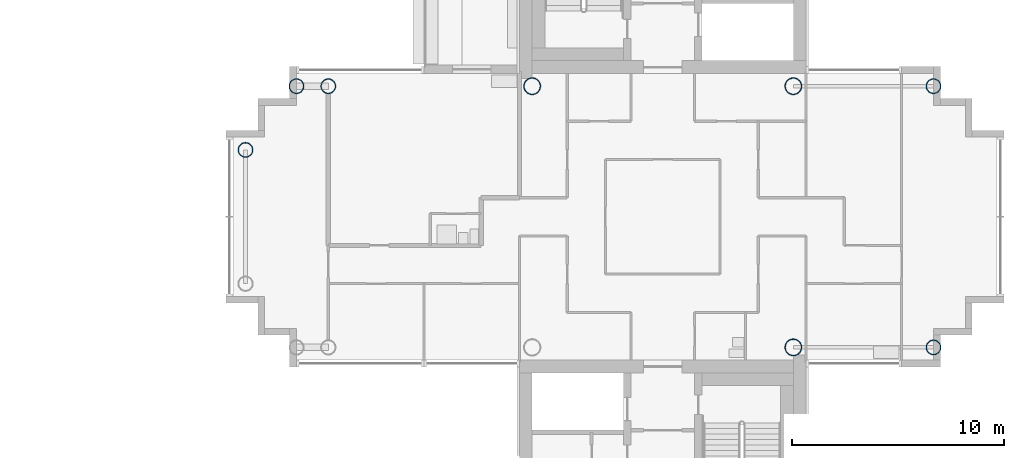
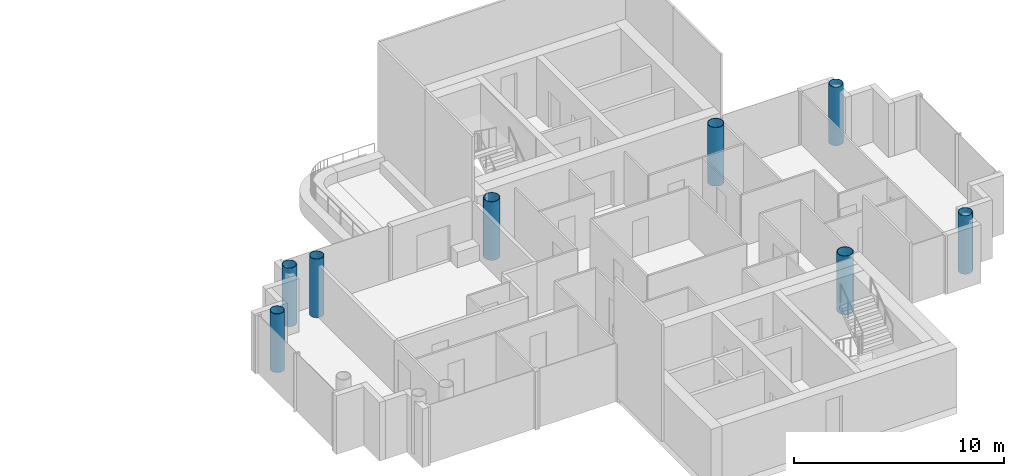
# One storey, part 2 of 18: 8 columns.
"""IFC4 building model written with IfcOpenShell, lengths in metres."""

from ifc_helpers import new_model, si_unit, direction, frame, origin, origin_2d, place, context, subcontext, project, spatial, hollow_circle, extrude, material, material_profile, profile_set, type_object, element, save


model = new_model("IFC4")

# Units and contexts
model_context = context("Model", 3, precision=1e-05, world=origin(), true_north=direction((0.0, 1.0)))
body_context = subcontext(model_context, "Body", "Model", "MODEL_VIEW")
ifc_project = project(units=[si_unit("LENGTHUNIT", "METRE"), si_unit("AREAUNIT", "SQUARE_METRE"), si_unit("VOLUMEUNIT", "CUBIC_METRE"), si_unit("PLANEANGLEUNIT", "RADIAN"), si_unit("MASSUNIT", "GRAM", prefix="KILO")], contexts=[model_context])

# Site, building, storey
site_placement = place(None, origin())
site = spatial("IfcSite", under=ifc_project, at=site_placement, CompositionType="ELEMENT")
building_placement = place(site_placement, origin())
building = spatial("IfcBuilding", under=site, at=building_placement, Name="Ipe Terrace Towers", CompositionType="ELEMENT")
storey_placement = place(building_placement, frame((0.0, 0.0, 226.60009765625)))
storey = spatial("IfcBuildingStorey", under=building, at=storey_placement, Name="L63", CompositionType="ELEMENT", Elevation=226.60009765625)

# Columns
ifc_material_1 = material(Name="Steel S355 tube with Concrete C60/75 fill", Category="concrete")
ifc_material_profile_1 = material_profile(ifc_material_1, hollow_circle(Radius=0.35009765625, WallThickness=0.02490234375, at=origin_2d()), Name="CHS-700x25")
ifc_profile_set_1 = profile_set([ifc_material_profile_1], Name="Steel S355 tube with Concrete C60/75 fill")
column_type_1 = type_object("IfcColumnType", Name="CH08 COLUMN CHS-700x25", PredefinedType="COLUMN", material=ifc_profile_set_1)
for number, where, z_axis, x_axis, name in (
    (1, (20.25, 6.14990234375, 0.0), (0.0, 0.0, 1.0), (1.0, 0.0, 0.0), "Column T2-C-B03"),
    (2, (18.75, 6.14990234375, 0.0), (0.0, 0.0, 1.0), (1.0, 0.0, 0.0), "Column T2-C-B05"),
    (3, (16.35009765625, 3.14990234375, 0.0), (0.0, 0.0, 1.0), (1.0, 0.0, 0.0), "Column T2-C-B07"),
    (4, (48.75, -6.14990234375, 0.0), (0.0, 0.0, 1.0), (1.0, 0.0, 0.0), "Column T2-C-D01"),
    (5, (48.75, 6.14990234375, 0.0), (0.0, 0.0, 1.0), (1.0, 0.0, 0.0), "Column T2-C-D02"),
):
    element("IfcColumn", number, at=place(storey_placement, frame(where, z_axis=z_axis, x_axis=x_axis)), inside=storey, type_object=column_type_1, Name=name, PredefinedType="COLUMN", context=body_context, shape_type="SweptSolid", body=[
        extrude(hollow_circle(Radius=0.35009765625, WallThickness=0.02490234375, at=origin_2d()), origin(), (0.0, 0.0, 1.0), 3.39990234375),
    ])
ifc_material_2 = material(Name="Steel S355 tube with Concrete C60/75 fill", Category="concrete")
ifc_material_profile_2 = material_profile(ifc_material_2, hollow_circle(Radius=0.39990234375, WallThickness=0.028076171875, at=origin_2d()), Name="CHS-800x28")
ifc_profile_set_2 = profile_set([ifc_material_profile_2], Name="Steel S355 tube with Concrete C60/75 fill")
column_type_2 = type_object("IfcColumnType", Name="CH09 COLUMN CHS-800x28", PredefinedType="COLUMN", material=ifc_profile_set_2)
for number, where, z_axis, x_axis, name in (
    (6, (42.14990234375, -6.14990234375, 0.0), (0.0, 0.0, 1.0), (1.0, 0.0, 0.0), "Column T2-C-E01"),
    (7, (42.14990234375, 6.14990234375, 0.0), (0.0, 0.0, 1.0), (1.0, 0.0, 0.0), "Column T2-C-E02"),
    (8, (29.85009765625, 6.14990234375, 0.0), (0.0, 0.0, 1.0), (1.0, 0.0, 0.0), "Column T2-C-E03"),
):
    element("IfcColumn", number, at=place(storey_placement, frame(where, z_axis=z_axis, x_axis=x_axis)), inside=storey, type_object=column_type_2, Name=name, PredefinedType="COLUMN", context=body_context, shape_type="SweptSolid", body=[
        extrude(hollow_circle(Radius=0.39990234375, WallThickness=0.028076171875, at=origin_2d()), origin(), (0.0, 0.0, 1.0), 3.39990234375),
    ])

save(model, "model.ifc")
